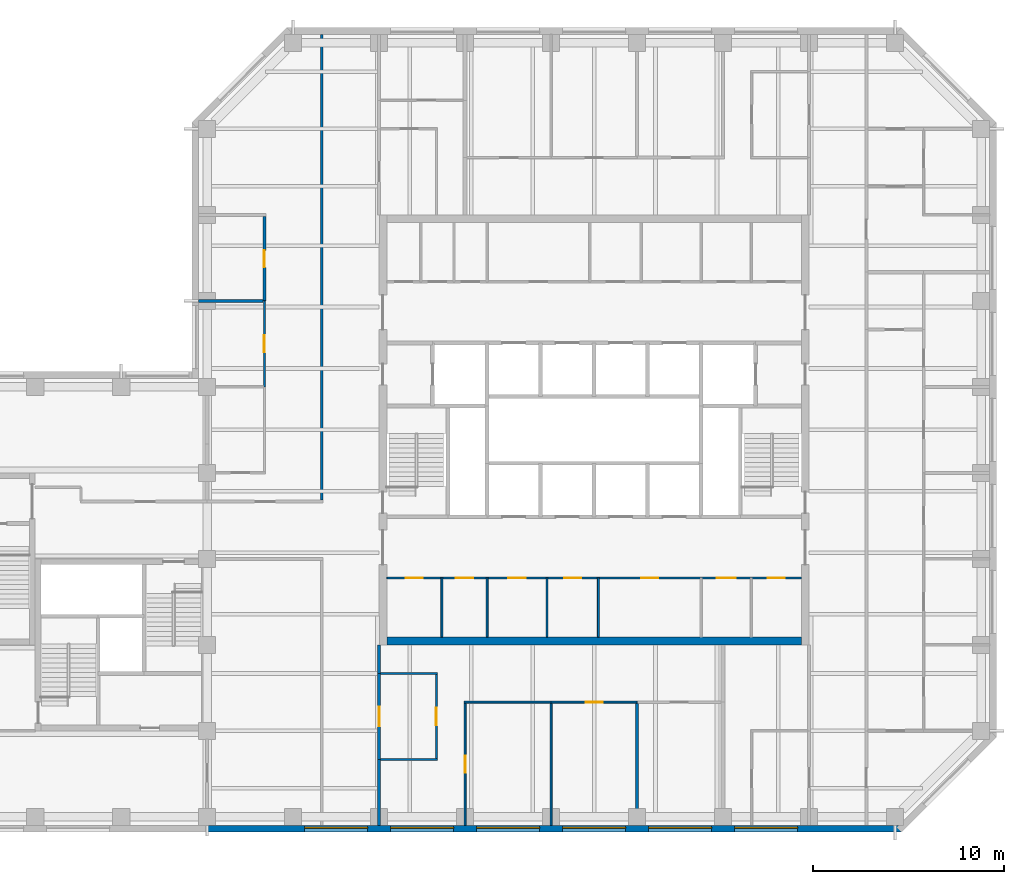
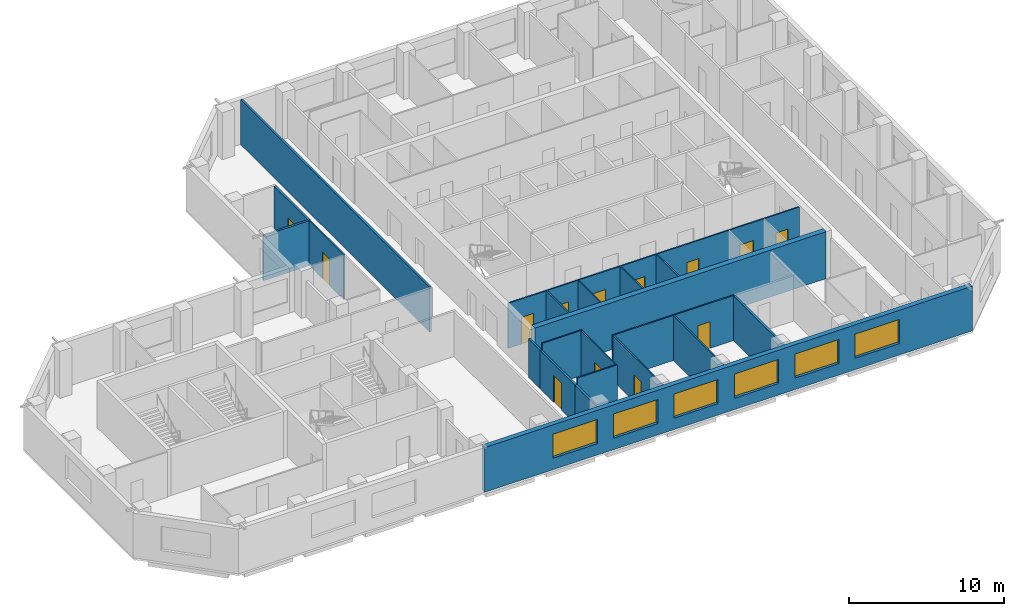
# One storey, part 4 of 10: 22 walls, 13 doors, 6 windows, 19 openings.
"""IFC4 building model written with IfcOpenShell, lengths in metres."""

from ifc_helpers import new_model, si_unit, direction, frame, frame_2d, origin, place, context, subcontext, project, spatial, rectangle, extrude, material, layer, layer_set, constituent, constituent_set, type_object, element, fill, save


model = new_model("IFC4")

# Units and contexts
model_context = context("Model", 3, precision=1e-05, world=origin(), true_north=direction((0.0, 1.0)))
body_context = subcontext(model_context, "Body", "Model", "MODEL_VIEW")
ifc_project = project(units=[si_unit("LENGTHUNIT", "METRE"), si_unit("AREAUNIT", "SQUARE_METRE"), si_unit("VOLUMEUNIT", "CUBIC_METRE"), si_unit("PLANEANGLEUNIT", "RADIAN"), si_unit("MASSUNIT", "GRAM", prefix="KILO")], contexts=[model_context])

# Site, building, storey
site_placement = place(None, origin())
site = spatial("IfcSite", under=ifc_project, at=site_placement, CompositionType="ELEMENT")
building_placement = place(site_placement, origin())
building = spatial("IfcBuilding", under=site, at=building_placement, Name="Quoin Convention Tower", CompositionType="ELEMENT")
storey_placement = place(building_placement, frame((0.0, 0.0, 184.699951171875)))
storey = spatial("IfcBuildingStorey", under=building, at=storey_placement, Name="L48", CompositionType="ELEMENT", Elevation=184.699951171875)

# Walls
ifc_material_1 = material(Name="Plasterboard")
ifc_layer_1 = layer(ifc_material_1, 0.012451171875, Name="Finish")
ifc_material_2 = material(Name="Steel stud framing", Category="steel")
ifc_layer_2 = layer(ifc_material_2, 0.125, Name="Structure")
ifc_layer_3 = layer(ifc_material_1, 0.012451171875, Name="Finish")
ifc_layer_set_1 = layer_set([ifc_layer_1, ifc_layer_2, ifc_layer_3], Name="Steel stud framing")
wall_type_1 = type_object("IfcWallType", Name="Acoustic partition 150", PredefinedType="PARTITIONING", material=ifc_layer_set_1)
wall_1_placement = place(storey_placement, frame((35.550048828125, 67.5, 0.0), z_axis=(0.0, 0.0, 1.0), x_axis=(1.0, 0.0, 0.0)))
element("IfcWall", 1, at=wall_1_placement, inside=storey, type_object=wall_type_1, Name="pw-L48-029", PredefinedType="PARTITIONING", context=body_context, shape_type="SweptSolid", body=[
    extrude(rectangle(XDim=3.375, YDim=0.14990234375, at=frame_2d((1.6875, 0.0))), origin(), (0.0, 0.0, 1.0), 3.550048828125),
])
wall_2_placement = place(storey_placement, frame((58.5, 40.050048828125, 0.0), z_axis=(0.0, 0.0, 1.0), x_axis=(0.0, 1.0, 0.0)))
element("IfcWall", 2, at=wall_2_placement, inside=storey, type_object=wall_type_1, Name="pw-L48-049", PredefinedType="PARTITIONING", context=body_context, shape_type="SweptSolid", body=[
    extrude(rectangle(XDim=6.375, YDim=0.14990234375, at=frame_2d((3.1875, 0.0))), origin(), (0.0, 0.0, 1.0), 3.550048828125),
])

# Wall, opening, door
wall_3_placement = place(storey_placement, frame((39.0, 67.5, 0.0), z_axis=(0.0, 0.0, 1.0), x_axis=(0.0, 1.0, 0.0)))
wall_3 = element("IfcWall", 3, at=wall_3_placement, inside=storey, type_object=wall_type_1, Name="pw-L48-086", PredefinedType="PARTITIONING", context=body_context, shape_type="SweptSolid", body=[
    extrude(rectangle(XDim=4.425048828125, YDim=0.14990234375, at=frame_2d((2.21240234375, 0.0))), origin(), (0.0, 0.0, 1.0), 3.550048828125),
])
opening_1_placement = place(wall_3_placement, frame((1.75, 0.0, 0.0)))
opening_1 = element("IfcOpeningElement", 4, at=opening_1_placement, cuts=wall_3, Name="Opening DOH6-28", PredefinedType="OPENING", context=body_context, shape_type="SweptSolid", body=[
    extrude(rectangle(XDim=0.89990234375, YDim=2.10009765625, at=frame_2d((0.449951171875, 1.050048828125))), frame((0.0, 0.0849609375, 0.0), z_axis=(0.0, -1.0, 0.0), x_axis=(1.0, 0.0, 0.0)), (0.0, 0.0, 1.0), 0.169921875),
])
ifc_material_3 = material(Name="Steel door leaf", Category="steel")
door_type_1 = type_object("IfcDoorType", Name="Office door 900 x 2100", OperationType="SINGLE_SWING_RIGHT", PredefinedType="DOOR", material=ifc_material_3)
door_1_placement = place(opening_1_placement, frame((0.89990234375, 0.0, 0.0), z_axis=(0.0, 0.0, 1.0), x_axis=(-1.0, 0.0, 0.0)))
door_1 = element("IfcDoor", 5, at=door_1_placement, inside=storey, type_object=door_type_1, Name="dr-L48-15", OperationType="SINGLE_SWING_LEFT", OverallHeight=2.10009765625, OverallWidth=0.89990234375, PredefinedType="DOOR", context=body_context, shape_type="SweptSolid", body=[
    extrude(rectangle(XDim=0.89990234375, YDim=2.10009765625, at=frame_2d((0.449951171875, 1.050048828125))), frame((0.0, 0.02490234375, 0.0), z_axis=(0.0, -1.0, 0.0), x_axis=(1.0, 0.0, 0.0)), (0.0, 0.0, 1.0), 0.050048828125),
])
fill(opening_1, door_1)

# Wall, openings, windows
ifc_material_4 = material(Name="Brick masonry", Category="masonry")
ifc_layer_4 = layer(ifc_material_4, 0.35009765625)
ifc_layer_set_2 = layer_set([ifc_layer_4], Name="Brick masonry")
wall_type_2 = type_object("IfcWallType", Name="Brick facade wall", PredefinedType="STANDARD", material=ifc_layer_set_2)
wall_4_placement = place(storey_placement, frame((36.0, 39.875, 0.0), z_axis=(0.0, 0.0, 1.0), x_axis=(1.0, 0.0, 0.0)))
wall_4 = element("IfcWall", 6, at=wall_4_placement, inside=storey, type_object=wall_type_2, Name="fw-L48-36000_40500", PredefinedType="STANDARD", context=body_context, shape_type="SweptSolid", body=[
    extrude(rectangle(XDim=36.331298828125, YDim=0.35009765625, at=frame_2d((18.16552734375, 0.0))), origin(), (0.0, 0.0, 1.0), 3.525146484375),
])
opening_2_placement = place(wall_4_placement, frame((5.10009765625, 0.0, 0.89990234375)))
opening_2 = element("IfcOpeningElement", 7, at=opening_2_placement, cuts=wall_4, Name="Opening W-02", PredefinedType="OPENING", context=body_context, shape_type="SweptSolid", body=[
    extrude(rectangle(XDim=3.300048828125, YDim=1.89990234375, at=frame_2d((1.64990234375, 0.949951171875))), frame((0.0, 0.18505859375, 0.0), z_axis=(0.0, -1.0, 0.0), x_axis=(1.0, 0.0, 0.0)), (0.0, 0.0, 1.0), 0.3701171875),
])
opening_3_placement = place(wall_4_placement, frame((9.60009765625, 0.0, 0.89990234375)))
opening_3 = element("IfcOpeningElement", 8, at=opening_3_placement, cuts=wall_4, Name="Opening W-02", PredefinedType="OPENING", context=body_context, shape_type="SweptSolid", body=[
    extrude(rectangle(XDim=3.300048828125, YDim=1.89990234375, at=frame_2d((1.64990234375, 0.949951171875))), frame((0.0, 0.18505859375, 0.0), z_axis=(0.0, -1.0, 0.0), x_axis=(1.0, 0.0, 0.0)), (0.0, 0.0, 1.0), 0.3701171875),
])
opening_4_placement = place(wall_4_placement, frame((14.10009765625, 0.0, 0.89990234375)))
opening_4 = element("IfcOpeningElement", 9, at=opening_4_placement, cuts=wall_4, Name="Opening W-02", PredefinedType="OPENING", context=body_context, shape_type="SweptSolid", body=[
    extrude(rectangle(XDim=3.300048828125, YDim=1.89990234375, at=frame_2d((1.64990234375, 0.949951171875))), frame((0.0, 0.18505859375, 0.0), z_axis=(0.0, -1.0, 0.0), x_axis=(1.0, 0.0, 0.0)), (0.0, 0.0, 1.0), 0.3701171875),
])
opening_5_placement = place(wall_4_placement, frame((18.60009765625, 0.0, 0.89990234375)))
opening_5 = element("IfcOpeningElement", 10, at=opening_5_placement, cuts=wall_4, Name="Opening W-02", PredefinedType="OPENING", context=body_context, shape_type="SweptSolid", body=[
    extrude(rectangle(XDim=3.300048828125, YDim=1.89990234375, at=frame_2d((1.64990234375, 0.949951171875))), frame((0.0, 0.18505859375, 0.0), z_axis=(0.0, -1.0, 0.0), x_axis=(1.0, 0.0, 0.0)), (0.0, 0.0, 1.0), 0.3701171875),
])
opening_6_placement = place(wall_4_placement, frame((23.10009765625, 0.0, 0.89990234375)))
opening_6 = element("IfcOpeningElement", 11, at=opening_6_placement, cuts=wall_4, Name="Opening W-02", PredefinedType="OPENING", context=body_context, shape_type="SweptSolid", body=[
    extrude(rectangle(XDim=3.300048828125, YDim=1.89990234375, at=frame_2d((1.64990234375, 0.949951171875))), frame((0.0, 0.18505859375, 0.0), z_axis=(0.0, -1.0, 0.0), x_axis=(1.0, 0.0, 0.0)), (0.0, 0.0, 1.0), 0.3701171875),
])
opening_7_placement = place(wall_4_placement, frame((27.60009765625, 0.0, 0.89990234375)))
opening_7 = element("IfcOpeningElement", 12, at=opening_7_placement, cuts=wall_4, Name="Opening W-02", PredefinedType="OPENING", context=body_context, shape_type="SweptSolid", body=[
    extrude(rectangle(XDim=3.300048828125, YDim=1.89990234375, at=frame_2d((1.64990234375, 0.949951171875))), frame((0.0, 0.18505859375, 0.0), z_axis=(0.0, -1.0, 0.0), x_axis=(1.0, 0.0, 0.0)), (0.0, 0.0, 1.0), 0.3701171875),
])
ifc_material_5 = material(Name="Aluminium", Category="aluminium")
ifc_constituent_1 = constituent(ifc_material_5, Name="Frame")
ifc_material_6 = material(Name="Insulated glass", Category="glass")
ifc_constituent_2 = constituent(ifc_material_6, Name="Glazing")
ifc_constituent_set = constituent_set(constituents=[ifc_constituent_1, ifc_constituent_2], Name="Aluminium")
window_type = type_object("IfcWindowType", Name="Office window", PartitioningType="DOUBLE_PANEL_VERTICAL", PredefinedType="WINDOW", material=ifc_constituent_set)
window_1_placement = place(opening_2_placement, origin())
window_1 = element("IfcWindow", 13, at=window_1_placement, inside=storey, type_object=window_type, Name="win-L48-42750_39875", OverallHeight=1.89990234375, OverallWidth=3.300048828125, PartitioningType="SINGLE_PANEL", PredefinedType="WINDOW", context=body_context, shape_type="SweptSolid", body=[
    extrude(rectangle(XDim=3.300048828125, YDim=1.89990234375, at=frame_2d((1.64990234375, 0.949951171875))), frame((0.0, 0.0849609375, 0.0), z_axis=(0.0, -1.0, 0.0), x_axis=(1.0, 0.0, 0.0)), (0.0, 0.0, 1.0), 0.06005859375),
])
fill(opening_2, window_1)
window_2_placement = place(opening_3_placement, origin())
window_2 = element("IfcWindow", 14, at=window_2_placement, inside=storey, type_object=window_type, Name="win-L48-47250_39875", OverallHeight=1.89990234375, OverallWidth=3.300048828125, PartitioningType="SINGLE_PANEL", PredefinedType="WINDOW", context=body_context, shape_type="SweptSolid", body=[
    extrude(rectangle(XDim=3.300048828125, YDim=1.89990234375, at=frame_2d((1.64990234375, 0.949951171875))), frame((0.0, 0.0849609375, 0.0), z_axis=(0.0, -1.0, 0.0), x_axis=(1.0, 0.0, 0.0)), (0.0, 0.0, 1.0), 0.06005859375),
])
fill(opening_3, window_2)
window_3_placement = place(opening_4_placement, origin())
window_3 = element("IfcWindow", 15, at=window_3_placement, inside=storey, type_object=window_type, Name="win-L48-51750_39875", OverallHeight=1.89990234375, OverallWidth=3.300048828125, PartitioningType="SINGLE_PANEL", PredefinedType="WINDOW", context=body_context, shape_type="SweptSolid", body=[
    extrude(rectangle(XDim=3.300048828125, YDim=1.89990234375, at=frame_2d((1.64990234375, 0.949951171875))), frame((0.0, 0.0849609375, 0.0), z_axis=(0.0, -1.0, 0.0), x_axis=(1.0, 0.0, 0.0)), (0.0, 0.0, 1.0), 0.06005859375),
])
fill(opening_4, window_3)
window_4_placement = place(opening_5_placement, origin())
window_4 = element("IfcWindow", 16, at=window_4_placement, inside=storey, type_object=window_type, Name="win-L48-56250_39875", OverallHeight=1.89990234375, OverallWidth=3.300048828125, PartitioningType="SINGLE_PANEL", PredefinedType="WINDOW", context=body_context, shape_type="SweptSolid", body=[
    extrude(rectangle(XDim=3.300048828125, YDim=1.89990234375, at=frame_2d((1.64990234375, 0.949951171875))), frame((0.0, 0.0849609375, 0.0), z_axis=(0.0, -1.0, 0.0), x_axis=(1.0, 0.0, 0.0)), (0.0, 0.0, 1.0), 0.06005859375),
])
fill(opening_5, window_4)
window_5_placement = place(opening_6_placement, origin())
window_5 = element("IfcWindow", 17, at=window_5_placement, inside=storey, type_object=window_type, Name="win-L48-60750_39875", OverallHeight=1.89990234375, OverallWidth=3.300048828125, PartitioningType="SINGLE_PANEL", PredefinedType="WINDOW", context=body_context, shape_type="SweptSolid", body=[
    extrude(rectangle(XDim=3.300048828125, YDim=1.89990234375, at=frame_2d((1.64990234375, 0.949951171875))), frame((0.0, 0.0849609375, 0.0), z_axis=(0.0, -1.0, 0.0), x_axis=(1.0, 0.0, 0.0)), (0.0, 0.0, 1.0), 0.06005859375),
])
fill(opening_6, window_5)
window_6_placement = place(opening_7_placement, origin())
window_6 = element("IfcWindow", 18, at=window_6_placement, inside=storey, type_object=window_type, Name="win-L48-65250_39875", OverallHeight=1.89990234375, OverallWidth=3.300048828125, PartitioningType="SINGLE_PANEL", PredefinedType="WINDOW", context=body_context, shape_type="SweptSolid", body=[
    extrude(rectangle(XDim=3.300048828125, YDim=1.89990234375, at=frame_2d((1.64990234375, 0.949951171875))), frame((0.0, 0.0849609375, 0.0), z_axis=(0.0, -1.0, 0.0), x_axis=(1.0, 0.0, 0.0)), (0.0, 0.0, 1.0), 0.06005859375),
])
fill(opening_7, window_6)

# Wall, openings, doors
ifc_layer_5 = layer(ifc_material_1, 0.012451171875, Name="Finish")
ifc_layer_6 = layer(ifc_material_2, 0.074951171875, Name="Structure")
ifc_layer_7 = layer(ifc_material_1, 0.012451171875, Name="Finish")
ifc_layer_set_3 = layer_set([ifc_layer_5, ifc_layer_6, ifc_layer_7], Name="Steel stud framing")
wall_type_3 = type_object("IfcWallType", Name="Core partition wall", PredefinedType="PARTITIONING", material=ifc_layer_set_3)
wall_5_placement = place(storey_placement, frame((45.39990234375, 53.0, 0.0), z_axis=(0.0, 0.0, 1.0), x_axis=(1.0, 0.0, 0.0)))
wall_5 = element("IfcWall", 19, at=wall_5_placement, inside=storey, type_object=wall_type_3, Name="cr-C1-L48-h3500_400", PredefinedType="PARTITIONING", context=body_context, shape_type="SweptSolid", body=[
    extrude(rectangle(XDim=21.7001953125, YDim=0.10009765625, at=frame_2d((10.85009765625, 0.0))), origin(), (0.0, 0.0, 1.0), 3.550048828125),
])
opening_8_placement = place(wall_5_placement, frame((19.9375, 0.0, 0.0)))
opening_8 = element("IfcOpeningElement", 20, at=opening_8_placement, cuts=wall_5, Name="Opening DCV4-33", PredefinedType="OPENING", context=body_context, shape_type="SweptSolid", body=[
    extrude(rectangle(XDim=0.89990234375, YDim=2.10009765625, at=frame_2d((0.449951171875, 1.050048828125))), frame((0.0, 0.06005859375, 0.0), z_axis=(0.0, -1.0, 0.0), x_axis=(1.0, 0.0, 0.0)), (0.0, 0.0, 1.0), 0.1201171875),
])
opening_9_placement = place(wall_5_placement, frame((17.262451171875, 0.0, 0.0)))
opening_9 = element("IfcOpeningElement", 21, at=opening_9_placement, cuts=wall_5, Name="Opening DCV4-32", PredefinedType="OPENING", context=body_context, shape_type="SweptSolid", body=[
    extrude(rectangle(XDim=1.0, YDim=2.10009765625, at=frame_2d((0.5, 1.050048828125))), frame((0.0, 0.06005859375, 0.0), z_axis=(0.0, -1.0, 0.0), x_axis=(1.0, 0.0, 0.0)), (0.0, 0.0, 1.0), 0.1201171875),
])
opening_10_placement = place(wall_5_placement, frame((0.993896484375, 0.0, 0.0)))
opening_10 = element("IfcOpeningElement", 22, at=opening_10_placement, cuts=wall_5, Name="Opening DCV4-25", PredefinedType="OPENING", context=body_context, shape_type="SweptSolid", body=[
    extrude(rectangle(XDim=0.89990234375, YDim=2.10009765625, at=frame_2d((0.449951171875, 1.050048828125))), frame((0.0, 0.06005859375, 0.0), z_axis=(0.0, -1.0, 0.0), x_axis=(1.0, 0.0, 0.0)), (0.0, 0.0, 1.0), 0.1201171875),
])
opening_11_placement = place(wall_5_placement, frame((3.618896484375, 0.0, 0.0)))
opening_11 = element("IfcOpeningElement", 23, at=opening_11_placement, cuts=wall_5, Name="Opening DCV4-26", PredefinedType="OPENING", context=body_context, shape_type="SweptSolid", body=[
    extrude(rectangle(XDim=0.89990234375, YDim=2.10009765625, at=frame_2d((0.449951171875, 1.050048828125))), frame((0.0, 0.06005859375, 0.0), z_axis=(0.0, -1.0, 0.0), x_axis=(1.0, 0.0, 0.0)), (0.0, 0.0, 1.0), 0.1201171875),
])
opening_12_placement = place(wall_5_placement, frame((6.367919921875, 0.0, 0.0)))
opening_12 = element("IfcOpeningElement", 24, at=opening_12_placement, cuts=wall_5, Name="Opening DCV4-27", PredefinedType="OPENING", context=body_context, shape_type="SweptSolid", body=[
    extrude(rectangle(XDim=0.89990234375, YDim=2.10009765625, at=frame_2d((0.449951171875, 1.050048828125))), frame((0.0, 0.06005859375, 0.0), z_axis=(0.0, -1.0, 0.0), x_axis=(1.0, 0.0, 0.0)), (0.0, 0.0, 1.0), 0.1201171875),
])
opening_13_placement = place(wall_5_placement, frame((9.280029296875, 0.0, 0.0)))
opening_13 = element("IfcOpeningElement", 25, at=opening_13_placement, cuts=wall_5, Name="Opening DCV4-29", PredefinedType="OPENING", context=body_context, shape_type="SweptSolid", body=[
    extrude(rectangle(XDim=0.89990234375, YDim=2.10009765625, at=frame_2d((0.449951171875, 1.050048828125))), frame((0.0, 0.06005859375, 0.0), z_axis=(0.0, -1.0, 0.0), x_axis=(1.0, 0.0, 0.0)), (0.0, 0.0, 1.0), 0.1201171875),
])
opening_14_placement = place(wall_5_placement, frame((13.31201171875, 0.0, 0.0)))
opening_14 = element("IfcOpeningElement", 26, at=opening_14_placement, cuts=wall_5, Name="Opening DCV4-30", PredefinedType="OPENING", context=body_context, shape_type="SweptSolid", body=[
    extrude(rectangle(XDim=0.89990234375, YDim=2.10009765625, at=frame_2d((0.449951171875, 1.050048828125))), frame((0.0, 0.06005859375, 0.0), z_axis=(0.0, -1.0, 0.0), x_axis=(1.0, 0.0, 0.0)), (0.0, 0.0, 1.0), 0.1201171875),
])
door_type_2 = type_object("IfcDoorType", Name="Core room door 1000 x 2100", OperationType="SINGLE_SWING_LEFT", PredefinedType="DOOR", material=ifc_material_3)
door_2_placement = place(opening_9_placement, frame((1.0, 0.0, 0.0), z_axis=(0.0, 0.0, 1.0), x_axis=(-1.0, 0.0, 0.0)))
door_2 = element("IfcDoor", 27, at=door_2_placement, inside=storey, type_object=door_type_2, Name="cd-C1-L48-CSE1-lobA-CD4813", OperationType="SINGLE_SWING_LEFT", OverallHeight=2.10009765625, OverallWidth=1.0, PredefinedType="DOOR", context=body_context, shape_type="SweptSolid", body=[
    extrude(rectangle(XDim=1.0, YDim=2.10009765625, at=frame_2d((0.5, 1.050048828125))), frame((0.0, 0.02490234375, 0.0), z_axis=(0.0, -1.0, 0.0), x_axis=(1.0, 0.0, 0.0)), (0.0, 0.0, 1.0), 0.050048828125),
])
fill(opening_9, door_2)
door_type_3 = type_object("IfcDoorType", Name="Core room door 900 x 2100", OperationType="SINGLE_SWING_LEFT", PredefinedType="DOOR", material=ifc_material_3)
door_3_placement = place(opening_8_placement, frame((0.89990234375, 0.0, 0.0), z_axis=(0.0, 0.0, 1.0), x_axis=(-1.0, 0.0, 0.0)))
door_3 = element("IfcDoor", 28, at=door_3_placement, inside=storey, type_object=door_type_3, Name="cd-C1-L48-CSE0-lobA-CD4812", OperationType="SINGLE_SWING_LEFT", OverallHeight=2.10009765625, OverallWidth=0.89990234375, PredefinedType="DOOR", context=body_context, shape_type="SweptSolid", body=[
    extrude(rectangle(XDim=0.89990234375, YDim=2.10009765625, at=frame_2d((0.449951171875, 1.050048828125))), frame((0.0, 0.02490234375, 0.0), z_axis=(0.0, -1.0, 0.0), x_axis=(1.0, 0.0, 0.0)), (0.0, 0.0, 1.0), 0.050048828125),
])
fill(opening_8, door_3)
door_4_placement = place(opening_10_placement, frame((0.89990234375, 0.0, 0.0), z_axis=(0.0, 0.0, 1.0), x_axis=(-1.0, 0.0, 0.0)))
door_4 = element("IfcDoor", 29, at=door_4_placement, inside=storey, type_object=door_type_3, Name="cd-C1-L48-CSW0-lobA-CD4814", OperationType="SINGLE_SWING_LEFT", OverallHeight=2.10009765625, OverallWidth=0.89990234375, PredefinedType="DOOR", context=body_context, shape_type="SweptSolid", body=[
    extrude(rectangle(XDim=0.89990234375, YDim=2.10009765625, at=frame_2d((0.449951171875, 1.050048828125))), frame((0.0, 0.02490234375, 0.0), z_axis=(0.0, -1.0, 0.0), x_axis=(1.0, 0.0, 0.0)), (0.0, 0.0, 1.0), 0.050048828125),
])
fill(opening_10, door_4)
door_5_placement = place(opening_11_placement, frame((0.89990234375, 0.0, 0.0), z_axis=(0.0, 0.0, 1.0), x_axis=(-1.0, 0.0, 0.0)))
door_5 = element("IfcDoor", 30, at=door_5_placement, inside=storey, type_object=door_type_3, Name="cd-C1-L48-CSW1-lobA-CD4815", OperationType="SINGLE_SWING_LEFT", OverallHeight=2.10009765625, OverallWidth=0.89990234375, PredefinedType="DOOR", context=body_context, shape_type="SweptSolid", body=[
    extrude(rectangle(XDim=0.89990234375, YDim=2.10009765625, at=frame_2d((0.449951171875, 1.050048828125))), frame((0.0, 0.02490234375, 0.0), z_axis=(0.0, -1.0, 0.0), x_axis=(1.0, 0.0, 0.0)), (0.0, 0.0, 1.0), 0.050048828125),
])
fill(opening_11, door_5)
door_6_placement = place(opening_12_placement, frame((0.89990234375, 0.0, 0.0), z_axis=(0.0, 0.0, 1.0), x_axis=(-1.0, 0.0, 0.0)))
door_6 = element("IfcDoor", 31, at=door_6_placement, inside=storey, type_object=door_type_3, Name="cd-C1-L48-F10-lobA-CD4816", OperationType="SINGLE_SWING_LEFT", OverallHeight=2.10009765625, OverallWidth=0.89990234375, PredefinedType="DOOR", context=body_context, shape_type="SweptSolid", body=[
    extrude(rectangle(XDim=0.89990234375, YDim=2.10009765625, at=frame_2d((0.449951171875, 1.050048828125))), frame((0.0, 0.02490234375, 0.0), z_axis=(0.0, -1.0, 0.0), x_axis=(1.0, 0.0, 0.0)), (0.0, 0.0, 1.0), 0.050048828125),
])
fill(opening_12, door_6)
door_7_placement = place(opening_13_placement, frame((0.89990234375, 0.0, 0.0), z_axis=(0.0, 0.0, 1.0), x_axis=(-1.0, 0.0, 0.0)))
door_7 = element("IfcDoor", 32, at=door_7_placement, inside=storey, type_object=door_type_3, Name="cd-C1-L48-F11-lobA-CD4817", OperationType="SINGLE_SWING_LEFT", OverallHeight=2.10009765625, OverallWidth=0.89990234375, PredefinedType="DOOR", context=body_context, shape_type="SweptSolid", body=[
    extrude(rectangle(XDim=0.89990234375, YDim=2.10009765625, at=frame_2d((0.449951171875, 1.050048828125))), frame((0.0, 0.02490234375, 0.0), z_axis=(0.0, -1.0, 0.0), x_axis=(1.0, 0.0, 0.0)), (0.0, 0.0, 1.0), 0.050048828125),
])
fill(opening_13, door_7)
door_8_placement = place(opening_14_placement, frame((0.89990234375, 0.0, 0.0), z_axis=(0.0, 0.0, 1.0), x_axis=(-1.0, 0.0, 0.0)))
door_8 = element("IfcDoor", 33, at=door_8_placement, inside=storey, type_object=door_type_3, Name="cd-C1-L48-F12-lobA-CD4818", OperationType="SINGLE_SWING_LEFT", OverallHeight=2.10009765625, OverallWidth=0.89990234375, PredefinedType="DOOR", context=body_context, shape_type="SweptSolid", body=[
    extrude(rectangle(XDim=0.89990234375, YDim=2.10009765625, at=frame_2d((0.449951171875, 1.050048828125))), frame((0.0, 0.02490234375, 0.0), z_axis=(0.0, -1.0, 0.0), x_axis=(1.0, 0.0, 0.0)), (0.0, 0.0, 1.0), 0.050048828125),
])
fill(opening_14, door_8)

# Walls
for number, where, z_axis, x_axis, name in (
    (34, (48.28759765625, 49.89990234375, 0.0), (0.0, 0.0, 1.0), (0.0, 1.0, 0.0), "cr-C1-L48-v3288_400"),
    (35, (50.64990234375, 49.89990234375, 0.0), (0.0, 0.0, 1.0), (0.0, 1.0, 0.0), "cr-C1-L48-v5650_400"),
    (36, (53.785888671875, 49.89990234375, 0.0), (0.0, 0.0, 1.0), (0.0, 1.0, 0.0), "cr-C1-L48-v8786_400"),
    (37, (56.47412109375, 49.89990234375, 0.0), (0.0, 0.0, 1.0), (0.0, 1.0, 0.0), "cr-C1-L48-v11474_400"),
):
    element("IfcWall", number, at=place(storey_placement, frame(where, z_axis=z_axis, x_axis=x_axis)), inside=storey, type_object=wall_type_3, Name=name, PredefinedType="PARTITIONING", context=body_context, shape_type="SweptSolid", body=[
        extrude(rectangle(XDim=3.10009765625, YDim=0.10009765625, at=frame_2d((1.550048828125, 0.0))), origin(), (0.0, 0.0, 1.0), 3.550048828125),
    ])
ifc_layer_8 = layer(ifc_material_1, 0.012451171875, Name="Finish")
ifc_layer_9 = layer(ifc_material_2, 0.125, Name="Structure")
ifc_layer_10 = layer(ifc_material_1, 0.012451171875, Name="Finish")
ifc_layer_set_4 = layer_set([ifc_layer_8, ifc_layer_9, ifc_layer_10], Name="Steel stud framing")
wall_type_4 = type_object("IfcWallType", Name="Corridor wall 150", PredefinedType="PARTITIONING", material=ifc_layer_set_4)
wall_6_placement = place(storey_placement, frame((42.0, 57.074951171875, 0.0), z_axis=(0.0, 0.0, 1.0), x_axis=(0.0, 1.0, 0.0)))
element("IfcWall", 38, at=wall_6_placement, inside=storey, type_object=wall_type_4, Name="pw-L48-073", PredefinedType="PARTITIONING", context=body_context, shape_type="SweptSolid", body=[
    extrude(rectangle(XDim=24.375, YDim=0.14990234375, at=frame_2d((12.1875, 0.0))), origin(), (0.0, 0.0, 1.0), 3.550048828125),
])
ifc_layer_11 = layer(ifc_material_1, 0.012451171875, Name="Finish")
ifc_layer_12 = layer(ifc_material_2, 0.125, Name="Structure")
ifc_layer_13 = layer(ifc_material_1, 0.012451171875, Name="Finish")
ifc_layer_set_5 = layer_set([ifc_layer_11, ifc_layer_12, ifc_layer_13], Name="Steel stud framing")
wall_type_5 = type_object("IfcWallType", Name="Corridor wall 150 under beam 528", PredefinedType="PARTITIONING", material=ifc_layer_set_5)
wall_7_placement = place(storey_placement, frame((45.0, 40.050048828125, 0.0), z_axis=(0.0, 0.0, 1.0), x_axis=(0.0, 1.0, 0.0)))
element("IfcWall", 39, at=wall_7_placement, inside=storey, type_object=wall_type_5, Name="pw-L48-046", PredefinedType="PARTITIONING", context=body_context, shape_type="SweptSolid", body=[
    extrude(rectangle(XDim=3.449951171875, YDim=0.14990234375, at=frame_2d((1.72509765625, 0.0))), origin(), (0.0, 0.0, 1.0), 3.02197265625),
])

# Wall, opening, door
wall_8_placement = place(storey_placement, frame((45.0, 43.5, 0.0), z_axis=(0.0, 0.0, 1.0), x_axis=(0.0, 1.0, 0.0)))
wall_8 = element("IfcWall", 40, at=wall_8_placement, inside=storey, type_object=wall_type_5, Name="pw-L48-055", PredefinedType="PARTITIONING", context=body_context, shape_type="SweptSolid", body=[
    extrude(rectangle(XDim=4.5, YDim=0.14990234375, at=frame_2d((2.25, 0.0))), origin(), (0.0, 0.0, 1.0), 3.02197265625),
])
opening_15_placement = place(wall_8_placement, frame((1.75, 0.0, 0.0)))
opening_15 = element("IfcOpeningElement", 41, at=opening_15_placement, cuts=wall_8, Name="Opening DOH6-20", PredefinedType="OPENING", context=body_context, shape_type="SweptSolid", body=[
    extrude(rectangle(XDim=1.0, YDim=2.10009765625, at=frame_2d((0.5, 1.050048828125))), frame((0.0, 0.0849609375, 0.0), z_axis=(0.0, -1.0, 0.0), x_axis=(1.0, 0.0, 0.0)), (0.0, 0.0, 1.0), 0.169921875),
])
door_type_4 = type_object("IfcDoorType", Name="Tenancy entrance door 1000 x 2100", OperationType="DOUBLE_DOOR_SINGLE_SWING", PredefinedType="DOOR", material=ifc_material_3)
door_9_placement = place(opening_15_placement, frame((1.0, 0.0, 0.0), z_axis=(0.0, 0.0, 1.0), x_axis=(-1.0, 0.0, 0.0)))
door_9 = element("IfcDoor", 42, at=door_9_placement, inside=storey, type_object=door_type_4, Name="dr-L48-16", OperationType="DOUBLE_DOOR_SINGLE_SWING", OverallHeight=2.10009765625, OverallWidth=1.0, PredefinedType="DOOR", context=body_context, shape_type="SweptSolid", body=[
    extrude(rectangle(XDim=1.0, YDim=2.10009765625, at=frame_2d((0.5, 1.050048828125))), frame((0.0, 0.02490234375, 0.0), z_axis=(0.0, -1.0, 0.0), x_axis=(1.0, 0.0, 0.0)), (0.0, 0.0, 1.0), 0.050048828125),
])
fill(opening_15, door_9)

# Walls
wall_9_placement = place(storey_placement, frame((45.0, 48.0, 0.0), z_axis=(0.0, 0.0, 1.0), x_axis=(0.0, 1.0, 0.0)))
element("IfcWall", 43, at=wall_9_placement, inside=storey, type_object=wall_type_5, Name="pw-L48-065", PredefinedType="PARTITIONING", context=body_context, shape_type="SweptSolid", body=[
    extrude(rectangle(XDim=1.5, YDim=0.14990234375, at=frame_2d((0.75, 0.0))), origin(), (0.0, 0.0, 1.0), 3.02197265625),
])
ifc_material_7 = material(Name="Concrete C50", Category="concrete")
ifc_layer_14 = layer(ifc_material_7, 0.39990234375)
ifc_layer_set_6 = layer_set([ifc_layer_14], Name="Concrete C50")
wall_type_6 = type_object("IfcWallType", Name="RC CORE WALL 400 C50", PredefinedType="SHEAR", material=ifc_layer_set_6)
wall_10_placement = place(storey_placement, frame((45.39990234375, 49.699951171875, 0.0), z_axis=(0.0, 0.0, 1.0), x_axis=(1.0, 0.0, 0.0)))
element("IfcWall", 44, at=wall_10_placement, inside=storey, type_object=wall_type_6, Name="cwl-C1-L48-S", PredefinedType="SHEAR", context=body_context, shape_type="SweptSolid", body=[
    extrude(rectangle(XDim=21.7001953125, YDim=0.39990234375, at=frame_2d((10.85009765625, 0.0))), origin(), (0.0, 0.0, 1.0), 3.699951171875),
])
ifc_layer_15 = layer(ifc_material_1, 0.012451171875, Name="Finish")
ifc_layer_16 = layer(ifc_material_2, 0.074951171875, Name="Structure")
ifc_layer_17 = layer(ifc_material_1, 0.012451171875, Name="Finish")
ifc_layer_set_7 = layer_set([ifc_layer_15, ifc_layer_16, ifc_layer_17], Name="Steel stud framing")
wall_type_7 = type_object("IfcWallType", Name="Stud partition 100", PredefinedType="PARTITIONING", material=ifc_layer_set_7)
wall_11_placement = place(storey_placement, frame((45.074951171875, 43.5, 0.0), z_axis=(0.0, 0.0, 1.0), x_axis=(1.0, 0.0, 0.0)))
element("IfcWall", 45, at=wall_11_placement, inside=storey, type_object=wall_type_7, Name="pw-L48-001", PredefinedType="PARTITIONING", context=body_context, shape_type="SweptSolid", body=[
    extrude(rectangle(XDim=2.97509765625, YDim=0.10009765625, at=frame_2d((1.487548828125, 0.0))), origin(), (0.0, 0.0, 1.0), 3.550048828125),
])
wall_12_placement = place(storey_placement, frame((49.449951171875, 46.5, 0.0), z_axis=(0.0, 0.0, 1.0), x_axis=(1.0, 0.0, 0.0)))
element("IfcWall", 46, at=wall_12_placement, inside=storey, type_object=wall_type_7, Name="pw-L48-008", PredefinedType="PARTITIONING", context=body_context, shape_type="SweptSolid", body=[
    extrude(rectangle(XDim=4.550048828125, YDim=0.10009765625, at=frame_2d((2.27490234375, 0.0))), origin(), (0.0, 0.0, 1.0), 3.550048828125),
])

# Wall, opening, door
wall_13_placement = place(storey_placement, frame((54.0, 46.5, 0.0), z_axis=(0.0, 0.0, 1.0), x_axis=(1.0, 0.0, 0.0)))
wall_13 = element("IfcWall", 47, at=wall_13_placement, inside=storey, type_object=wall_type_7, Name="pw-L48-009", PredefinedType="PARTITIONING", context=body_context, shape_type="SweptSolid", body=[
    extrude(rectangle(XDim=4.5, YDim=0.10009765625, at=frame_2d((2.25, 0.0))), origin(), (0.0, 0.0, 1.0), 3.550048828125),
])
opening_16_placement = place(wall_13_placement, frame((1.800048828125, 0.0, 0.0)))
opening_16 = element("IfcOpeningElement", 48, at=opening_16_placement, cuts=wall_13, Name="Opening DOH6-02", PredefinedType="OPENING", context=body_context, shape_type="SweptSolid", body=[
    extrude(rectangle(XDim=0.89990234375, YDim=2.10009765625, at=frame_2d((0.449951171875, 1.050048828125))), frame((0.0, 0.06005859375, 0.0), z_axis=(0.0, -1.0, 0.0), x_axis=(1.0, 0.0, 0.0)), (0.0, 0.0, 1.0), 0.1201171875),
])
door_10_placement = place(opening_16_placement, origin())
door_10 = element("IfcDoor", 49, at=door_10_placement, inside=storey, type_object=door_type_1, Name="dr-L48-19", OperationType="SINGLE_SWING_RIGHT", OverallHeight=2.10009765625, OverallWidth=0.89990234375, PredefinedType="DOOR", context=body_context, shape_type="SweptSolid", body=[
    extrude(rectangle(XDim=0.89990234375, YDim=2.10009765625, at=frame_2d((0.449951171875, 1.050048828125))), frame((0.0, 0.02490234375, 0.0), z_axis=(0.0, -1.0, 0.0), x_axis=(1.0, 0.0, 0.0)), (0.0, 0.0, 1.0), 0.050048828125),
])
fill(opening_16, door_10)

# Wall
wall_14_placement = place(storey_placement, frame((45.074951171875, 48.0, 0.0), z_axis=(0.0, 0.0, 1.0), x_axis=(1.0, 0.0, 0.0)))
element("IfcWall", 50, at=wall_14_placement, inside=storey, type_object=wall_type_7, Name="pw-L48-011", PredefinedType="PARTITIONING", context=body_context, shape_type="SweptSolid", body=[
    extrude(rectangle(XDim=2.97509765625, YDim=0.10009765625, at=frame_2d((1.487548828125, 0.0))), origin(), (0.0, 0.0, 1.0), 3.550048828125),
])

# Wall, opening, door
wall_15_placement = place(storey_placement, frame((49.5, 40.050048828125, 0.0), z_axis=(0.0, 0.0, 1.0), x_axis=(0.0, 1.0, 0.0)))
wall_15 = element("IfcWall", 51, at=wall_15_placement, inside=storey, type_object=wall_type_7, Name="pw-L48-047", PredefinedType="PARTITIONING", context=body_context, shape_type="SweptSolid", body=[
    extrude(rectangle(XDim=6.39990234375, YDim=0.10009765625, at=frame_2d((3.199951171875, 0.0))), origin(), (0.0, 0.0, 1.0), 3.550048828125),
])
opening_17_placement = place(wall_15_placement, frame((2.75, 0.0, 0.0)))
opening_17 = element("IfcOpeningElement", 52, at=opening_17_placement, cuts=wall_15, Name="Opening DOH6-15", PredefinedType="OPENING", context=body_context, shape_type="SweptSolid", body=[
    extrude(rectangle(XDim=0.89990234375, YDim=2.10009765625, at=frame_2d((0.449951171875, 1.050048828125))), frame((0.0, 0.06005859375, 0.0), z_axis=(0.0, -1.0, 0.0), x_axis=(1.0, 0.0, 0.0)), (0.0, 0.0, 1.0), 0.1201171875),
])
door_11_placement = place(opening_17_placement, origin())
door_11 = element("IfcDoor", 53, at=door_11_placement, inside=storey, type_object=door_type_1, Name="dr-L48-18", OperationType="SINGLE_SWING_RIGHT", OverallHeight=2.10009765625, OverallWidth=0.89990234375, PredefinedType="DOOR", context=body_context, shape_type="SweptSolid", body=[
    extrude(rectangle(XDim=0.89990234375, YDim=2.10009765625, at=frame_2d((0.449951171875, 1.050048828125))), frame((0.0, 0.02490234375, 0.0), z_axis=(0.0, -1.0, 0.0), x_axis=(1.0, 0.0, 0.0)), (0.0, 0.0, 1.0), 0.050048828125),
])
fill(opening_17, door_11)

# Wall
wall_16_placement = place(storey_placement, frame((54.0, 40.050048828125, 0.0), z_axis=(0.0, 0.0, 1.0), x_axis=(0.0, 1.0, 0.0)))
element("IfcWall", 54, at=wall_16_placement, inside=storey, type_object=wall_type_7, Name="pw-L48-048", PredefinedType="PARTITIONING", context=body_context, shape_type="SweptSolid", body=[
    extrude(rectangle(XDim=6.39990234375, YDim=0.10009765625, at=frame_2d((3.199951171875, 0.0))), origin(), (0.0, 0.0, 1.0), 3.550048828125),
])

# Wall, opening, door
wall_17_placement = place(storey_placement, frame((48.0, 43.550048828125, 0.0), z_axis=(0.0, 0.0, 1.0), x_axis=(0.0, 1.0, 0.0)))
wall_17 = element("IfcWall", 55, at=wall_17_placement, inside=storey, type_object=wall_type_7, Name="pw-L48-056", PredefinedType="PARTITIONING", context=body_context, shape_type="SweptSolid", body=[
    extrude(rectangle(XDim=4.39990234375, YDim=0.10009765625, at=frame_2d((2.199951171875, 0.0))), origin(), (0.0, 0.0, 1.0), 3.550048828125),
])
opening_18_placement = place(wall_17_placement, frame((1.75, 0.0, 0.0)))
opening_18 = element("IfcOpeningElement", 56, at=opening_18_placement, cuts=wall_17, Name="Opening DOH6-21", PredefinedType="OPENING", context=body_context, shape_type="SweptSolid", body=[
    extrude(rectangle(XDim=0.89990234375, YDim=2.10009765625, at=frame_2d((0.449951171875, 1.050048828125))), frame((0.0, 0.06005859375, 0.0), z_axis=(0.0, -1.0, 0.0), x_axis=(1.0, 0.0, 0.0)), (0.0, 0.0, 1.0), 0.1201171875),
])
door_12_placement = place(opening_18_placement, frame((0.89990234375, 0.0, 0.0), z_axis=(0.0, 0.0, 1.0), x_axis=(-1.0, 0.0, 0.0)))
door_12 = element("IfcDoor", 57, at=door_12_placement, inside=storey, type_object=door_type_1, Name="dr-L48-17", OperationType="SINGLE_SWING_LEFT", OverallHeight=2.10009765625, OverallWidth=0.89990234375, PredefinedType="DOOR", context=body_context, shape_type="SweptSolid", body=[
    extrude(rectangle(XDim=0.89990234375, YDim=2.10009765625, at=frame_2d((0.449951171875, 1.050048828125))), frame((0.0, 0.02490234375, 0.0), z_axis=(0.0, -1.0, 0.0), x_axis=(1.0, 0.0, 0.0)), (0.0, 0.0, 1.0), 0.050048828125),
])
fill(opening_18, door_12)

wall_18_placement = place(storey_placement, frame((39.0, 63.0, 0.0), z_axis=(0.0, 0.0, 1.0), x_axis=(0.0, 1.0, 0.0)))
wall_18 = element("IfcWall", 58, at=wall_18_placement, inside=storey, type_object=wall_type_7, Name="pw-L48-082", PredefinedType="PARTITIONING", context=body_context, shape_type="SweptSolid", body=[
    extrude(rectangle(XDim=4.5, YDim=0.10009765625, at=frame_2d((2.25, 0.0))), origin(), (0.0, 0.0, 1.0), 3.550048828125),
])
opening_19_placement = place(wall_18_placement, frame((1.800048828125, 0.0, 0.0)))
opening_19 = element("IfcOpeningElement", 59, at=opening_19_placement, cuts=wall_18, Name="Opening DOH6-26", PredefinedType="OPENING", context=body_context, shape_type="SweptSolid", body=[
    extrude(rectangle(XDim=0.89990234375, YDim=2.10009765625, at=frame_2d((0.449951171875, 1.050048828125))), frame((0.0, 0.06005859375, 0.0), z_axis=(0.0, -1.0, 0.0), x_axis=(1.0, 0.0, 0.0)), (0.0, 0.0, 1.0), 0.1201171875),
])
door_13_placement = place(opening_19_placement, frame((0.89990234375, 0.0, 0.0), z_axis=(0.0, 0.0, 1.0), x_axis=(-1.0, 0.0, 0.0)))
door_13 = element("IfcDoor", 60, at=door_13_placement, inside=storey, type_object=door_type_1, Name="dr-L48-14", OperationType="SINGLE_SWING_LEFT", OverallHeight=2.10009765625, OverallWidth=0.89990234375, PredefinedType="DOOR", context=body_context, shape_type="SweptSolid", body=[
    extrude(rectangle(XDim=0.89990234375, YDim=2.10009765625, at=frame_2d((0.449951171875, 1.050048828125))), frame((0.0, 0.02490234375, 0.0), z_axis=(0.0, -1.0, 0.0), x_axis=(1.0, 0.0, 0.0)), (0.0, 0.0, 1.0), 0.050048828125),
])
fill(opening_19, door_13)

save(model, "model.ifc")
